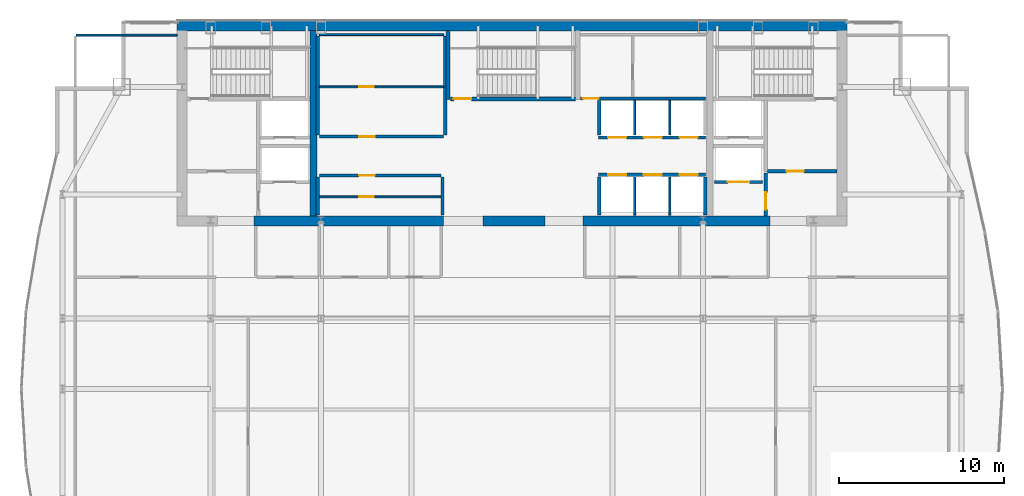
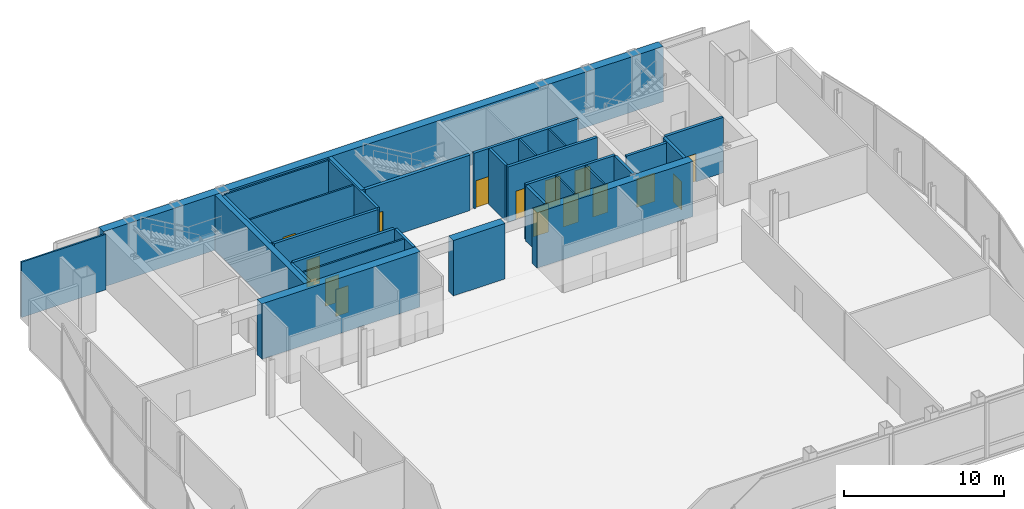
# One storey, part 25 of 28: 30 walls, 15 doors, 15 openings.
"""IFC4 building model written with IfcOpenShell, lengths in metres."""

from ifc_helpers import new_model, si_unit, direction, frame, frame_2d, origin, place, context, subcontext, project, spatial, rectangle, extrude, material, layer, layer_set, type_object, element, fill, save


model = new_model("IFC4")

# Units and contexts
model_context = context("Model", 3, precision=1e-05, world=origin(), true_north=direction((0.0, 1.0)))
body_context = subcontext(model_context, "Body", "Model", "MODEL_VIEW")
ifc_project = project(units=[si_unit("LENGTHUNIT", "METRE"), si_unit("AREAUNIT", "SQUARE_METRE"), si_unit("VOLUMEUNIT", "CUBIC_METRE"), si_unit("PLANEANGLEUNIT", "RADIAN"), si_unit("MASSUNIT", "GRAM", prefix="KILO")], contexts=[model_context])

# Site, building, storey
site_placement = place(None, origin())
site = spatial("IfcSite", under=ifc_project, at=site_placement, CompositionType="ELEMENT")
building_placement = place(site_placement, origin())
building = spatial("IfcBuilding", under=site, at=building_placement, Name="Khoronbel Lancet Exchange", CompositionType="ELEMENT")
storey_placement = place(building_placement, frame((0.0, 0.0, 265.39990234375)))
storey = spatial("IfcBuildingStorey", under=building, at=storey_placement, Name="L68", CompositionType="ELEMENT", Elevation=265.39990234375)

# Walls
ifc_material_1 = material(Name="Concrete C60/75", Category="concrete")
ifc_layer_1 = layer(ifc_material_1, 0.60009765625, Name="Concrete C60/75")
ifc_layer_set_1 = layer_set([ifc_layer_1], Name="Concrete C60/75")
wall_type_1 = type_object("IfcWallType", Name="WL-CW3", PredefinedType="SHEAR", material=ifc_layer_set_1)
wall_1_placement = place(storey_placement, frame((16.199951171875, 53.39990234375, 0.0), z_axis=(0.0, 0.0, 1.0), x_axis=(1.0, 0.0, 0.0)))
element("IfcWall", 1, at=wall_1_placement, inside=storey, type_object=wall_type_1, Name="Level L68 rear core north shear wall", PredefinedType="SHEAR", context=body_context, shape_type="SweptSolid", body=[
    extrude(rectangle(XDim=40.5, YDim=0.60009765625, at=frame_2d((20.25, 0.0))), origin(), (0.0, 0.0, 1.0), 4.239990234375),
])
wall_2_placement = place(storey_placement, frame((32.300048828125, 41.60009765625, 0.0), z_axis=(0.0, 0.0, 1.0), x_axis=(-1.0, 0.0, 0.0)))
element("IfcWall", 2, at=wall_2_placement, inside=storey, type_object=wall_type_1, Name="Level L68 rear core south shear wall pier P2", PredefinedType="SHEAR", context=body_context, shape_type="SweptSolid", body=[
    extrude(rectangle(XDim=11.449951171875, YDim=0.60009765625, at=frame_2d((5.72509765625, 0.0))), origin(), (0.0, 0.0, 1.0), 4.239990234375),
])
wall_3_placement = place(storey_placement, frame((38.449951171875, 41.60009765625, 0.0), z_axis=(0.0, 0.0, 1.0), x_axis=(-1.0, 0.0, 0.0)))
element("IfcWall", 3, at=wall_3_placement, inside=storey, type_object=wall_type_1, Name="Level L68 rear core south shear wall pier P3", PredefinedType="SHEAR", context=body_context, shape_type="SweptSolid", body=[
    extrude(rectangle(XDim=3.75, YDim=0.60009765625, at=frame_2d((1.875, 0.0))), origin(), (0.0, 0.0, 1.0), 4.239990234375),
])
wall_4_placement = place(storey_placement, frame((52.050048828125, 41.60009765625, 0.0), z_axis=(0.0, 0.0, 1.0), x_axis=(-1.0, 0.0, 0.0)))
element("IfcWall", 4, at=wall_4_placement, inside=storey, type_object=wall_type_1, Name="Level L68 rear core south shear wall pier P4", PredefinedType="SHEAR", context=body_context, shape_type="SweptSolid", body=[
    extrude(rectangle(XDim=11.300048828125, YDim=0.60009765625, at=frame_2d((5.64990234375, 0.0))), origin(), (0.0, 0.0, 1.0), 4.239990234375),
])
ifc_material_2 = material(Name="Acoustic Metal-Stud & Mineral-Wool Gypsum Partition 120 mm", Category="gypsum")
ifc_layer_2 = layer(ifc_material_2, 0.1201171875, Name="Acoustic Metal-Stud & Mineral-Wool Gypsum Partition 120 mm")
ifc_layer_set_2 = layer_set([ifc_layer_2], Name="Acoustic Metal-Stud & Mineral-Wool Gypsum Partition 120 mm")
wall_type_2 = type_object("IfcWallType", Name="WL-PRT120", PredefinedType="PARTITIONING", material=ifc_layer_set_2)
wall_5_placement = place(storey_placement, frame((10.094970703125, 52.840087890625, 0.0), z_axis=(0.0, 0.0, 1.0), x_axis=(1.0, 0.0, 0.0)))
element("IfcWall", 5, at=wall_5_placement, inside=storey, type_object=wall_type_2, Name="Level L68 interior partition PW-LIN-NW", PredefinedType="PARTITIONING", context=body_context, shape_type="SweptSolid", body=[
    extrude(rectangle(XDim=6.10498046875, YDim=0.1201171875, at=frame_2d((3.052490234375, 0.0))), origin(), (0.0, 0.0, 1.0), 4.239990234375),
])
ifc_material_3 = material(Name="Fire-Rated Metal-Stud & Mineral-Wool Gypsum Partition 120 mm", Category="gypsum")
ifc_layer_3 = layer(ifc_material_3, 0.1201171875, Name="Fire-Rated Metal-Stud & Mineral-Wool Gypsum Partition 120 mm")
ifc_layer_set_3 = layer_set([ifc_layer_3], Name="Fire-Rated Metal-Stud & Mineral-Wool Gypsum Partition 120 mm")
wall_type_3 = type_object("IfcWallType", Name="WL-PRT120F", PredefinedType="PARTITIONING", material=ifc_layer_set_3)
wall_6_placement = place(storey_placement, frame((24.804931640625, 52.860107421875, 0.0), z_axis=(0.0, 0.0, 1.0), x_axis=(1.0, 0.0, 0.0)))
element("IfcWall", 6, at=wall_6_placement, inside=storey, type_object=wall_type_3, Name="Level L68 interior partition CW-PL-RN", PredefinedType="PARTITIONING", context=body_context, shape_type="SweptSolid", body=[
    extrude(rectangle(XDim=7.510009765625, YDim=0.1201171875, at=frame_2d((3.7548828125, 0.0))), origin(), (0.0, 0.0, 1.0), 4.239990234375),
])

# Wall, opening, door
wall_7_placement = place(storey_placement, frame((24.804931640625, 49.708740234375, 0.0), z_axis=(0.0, 0.0, 1.0), x_axis=(1.0, 0.0, 0.0)))
wall_7 = element("IfcWall", 7, at=wall_7_placement, inside=storey, type_object=wall_type_3, Name="Level L68 interior partition CW-PL-RH", PredefinedType="PARTITIONING", context=body_context, shape_type="SweptSolid", body=[
    extrude(rectangle(XDim=7.510009765625, YDim=0.1201171875, at=frame_2d((3.7548828125, 0.0))), origin(), (0.0, 0.0, 1.0), 4.239990234375),
])
opening_1_placement = place(wall_7_placement, frame((2.39990234375, 0.0, 0.0)))
opening_1 = element("IfcOpeningElement", 8, at=opening_1_placement, cuts=wall_7, Name="Opening FD4", PredefinedType="OPENING", context=body_context, shape_type="SweptSolid", body=[
    extrude(rectangle(XDim=0.89990234375, YDim=2.050048828125, at=frame_2d((0.449951171875, 1.02490234375))), frame((0.0, 0.070068359375, 0.0), z_axis=(0.0, -1.0, 0.0), x_axis=(1.0, 0.0, 0.0)), (0.0, 0.0, 1.0), 0.14013671875),
])
ifc_material_4 = material(Name="Fire-Rated Steel Core Support Door Assembly", Category="steel")
door_type_1 = type_object("IfcDoorType", Name="DR-FD4", OperationType="NOTDEFINED", PredefinedType="DOOR", material=ifc_material_4)
door_1_placement = place(opening_1_placement, origin())
door_1 = element("IfcDoor", 9, at=door_1_placement, inside=storey, type_object=door_type_1, Name="Core PL inner store door L68-1", OperationType="SINGLE_SWING_RIGHT", OverallHeight=2.050048828125, OverallWidth=0.89990234375, PredefinedType="DOOR", context=body_context, shape_type="SweptSolid", body=[
    extrude(rectangle(XDim=0.89990234375, YDim=2.050048828125, at=frame_2d((0.449951171875, 1.02490234375))), frame((0.0, 0.02490234375, 0.0), z_axis=(0.0, -1.0, 0.0), x_axis=(1.0, 0.0, 0.0)), (0.0, 0.0, 1.0), 0.050048828125),
])
fill(opening_1, door_1)

wall_8_placement = place(storey_placement, frame((24.804931640625, 43.053955078125, 0.0), z_axis=(0.0, 0.0, 1.0), x_axis=(1.0, 0.0, 0.0)))
wall_8 = element("IfcWall", 10, at=wall_8_placement, inside=storey, type_object=wall_type_3, Name="Level L68 interior partition CW-PM-RH", PredefinedType="PARTITIONING", context=body_context, shape_type="SweptSolid", body=[
    extrude(rectangle(XDim=7.340087890625, YDim=0.1201171875, at=frame_2d((3.669921875, 0.0))), origin(), (0.0, 0.0, 1.0), 4.239990234375),
])
opening_2_placement = place(wall_8_placement, frame((2.39990234375, 0.0, 0.0)))
opening_2 = element("IfcOpeningElement", 11, at=opening_2_placement, cuts=wall_8, Name="Opening FD4", PredefinedType="OPENING", context=body_context, shape_type="SweptSolid", body=[
    extrude(rectangle(XDim=0.89990234375, YDim=2.050048828125, at=frame_2d((0.449951171875, 1.02490234375))), frame((0.0, 0.070068359375, 0.0), z_axis=(0.0, -1.0, 0.0), x_axis=(1.0, 0.0, 0.0)), (0.0, 0.0, 1.0), 0.14013671875),
])
door_2_placement = place(opening_2_placement, origin())
door_2 = element("IfcDoor", 12, at=door_2_placement, inside=storey, type_object=door_type_1, Name="Core PM inner store door L68-1", OperationType="SINGLE_SWING_RIGHT", OverallHeight=2.050048828125, OverallWidth=0.89990234375, PredefinedType="DOOR", context=body_context, shape_type="SweptSolid", body=[
    extrude(rectangle(XDim=0.89990234375, YDim=2.050048828125, at=frame_2d((0.449951171875, 1.02490234375))), frame((0.0, 0.02490234375, 0.0), z_axis=(0.0, -1.0, 0.0), x_axis=(1.0, 0.0, 0.0)), (0.0, 0.0, 1.0), 0.050048828125),
])
fill(opening_2, door_2)

# Walls
for number, where, z_axis, x_axis, name in (
    (13, (43.860107421875, 46.800048828125, 0.0), (0.0, 0.0, 1.0), (0.0, 1.0, 0.0), "Level L68 interior partition CW-PH-D1"),
    (14, (46.0, 46.800048828125, 0.0), (0.0, 0.0, 1.0), (0.0, 1.0, 0.0), "Level L68 interior partition CW-PH-D2"),
):
    element("IfcWall", number, at=place(storey_placement, frame(where, z_axis=z_axis, x_axis=x_axis)), inside=storey, type_object=wall_type_3, Name=name, PredefinedType="PARTITIONING", context=body_context, shape_type="SweptSolid", body=[
        extrude(rectangle(XDim=2.094970703125, YDim=0.1201171875, at=frame_2d((1.04736328125, 0.0))), origin(), (0.0, 0.0, 1.0), 4.239990234375),
    ])
for number, where, z_axis, x_axis, name in (
    (15, (43.860107421875, 41.949951171875, 0.0), (0.0, 0.0, 1.0), (0.0, 1.0, 0.0), "Level L68 interior partition CW-PX-D1"),
    (16, (46.0, 41.949951171875, 0.0), (0.0, 0.0, 1.0), (0.0, 1.0, 0.0), "Level L68 interior partition CW-PX-D2"),
):
    element("IfcWall", number, at=place(storey_placement, frame(where, z_axis=z_axis, x_axis=x_axis)), inside=storey, type_object=wall_type_3, Name=name, PredefinedType="PARTITIONING", context=body_context, shape_type="SweptSolid", body=[
        extrude(rectangle(XDim=2.300048828125, YDim=0.1201171875, at=frame_2d((1.14990234375, 0.0))), origin(), (0.0, 0.0, 1.0), 4.239990234375),
    ])

# Wall, openings, doors
ifc_material_5 = material(Name="Autoclaved Aerated Concrete Blockwork 200 mm", Category="masonry")
ifc_layer_4 = layer(ifc_material_5, 0.199951171875, Name="Autoclaved Aerated Concrete Blockwork 200 mm")
ifc_layer_set_4 = layer_set([ifc_layer_4], Name="Autoclaved Aerated Concrete Blockwork 200 mm")
wall_type_4 = type_object("IfcWallType", Name="WL-PRT200", PredefinedType="PARTITIONING", material=ifc_layer_set_4)
wall_9_placement = place(storey_placement, frame((41.679931640625, 44.39990234375, 0.0), z_axis=(0.0, 0.0, 1.0), x_axis=(1.0, 0.0, 0.0)))
wall_9 = element("IfcWall", 17, at=wall_9_placement, inside=storey, type_object=wall_type_4, Name="Level L68 elevator hoistway landing front wall PXE", PredefinedType="PARTITIONING", context=body_context, shape_type="SweptSolid", body=[
    extrude(rectangle(XDim=6.47998046875, YDim=0.199951171875, at=frame_2d((3.239990234375, 0.0))), origin(), (0.0, 0.0, 1.0), 4.239990234375),
])
opening_3_placement = place(wall_9_placement, frame((0.580078125, 0.0, 0.0)))
opening_3 = element("IfcOpeningElement", 18, at=opening_3_placement, cuts=wall_9, Name="Opening LD-PX1", PredefinedType="OPENING", context=body_context, shape_type="SweptSolid", body=[
    extrude(rectangle(XDim=1.10009765625, YDim=2.179931640625, at=frame_2d((0.550048828125, 1.08984375))), frame((0.0, 0.10986328125, 0.0), z_axis=(0.0, -1.0, 0.0), x_axis=(1.0, 0.0, 0.0)), (0.0, 0.0, 1.0), 0.219970703125),
])
opening_4_placement = place(wall_9_placement, frame((2.739990234375, 0.0, 0.0)))
opening_4 = element("IfcOpeningElement", 19, at=opening_4_placement, cuts=wall_9, Name="Opening LD-PX2", PredefinedType="OPENING", context=body_context, shape_type="SweptSolid", body=[
    extrude(rectangle(XDim=1.10009765625, YDim=2.179931640625, at=frame_2d((0.550048828125, 1.08984375))), frame((0.0, 0.10986328125, 0.0), z_axis=(0.0, -1.0, 0.0), x_axis=(1.0, 0.0, 0.0)), (0.0, 0.0, 1.0), 0.219970703125),
])
opening_5_placement = place(wall_9_placement, frame((4.89990234375, 0.0, 0.0)))
opening_5 = element("IfcOpeningElement", 20, at=opening_5_placement, cuts=wall_9, Name="Opening LD-PX3", PredefinedType="OPENING", context=body_context, shape_type="SweptSolid", body=[
    extrude(rectangle(XDim=1.10009765625, YDim=2.179931640625, at=frame_2d((0.550048828125, 1.08984375))), frame((0.0, 0.10986328125, 0.0), z_axis=(0.0, -1.0, 0.0), x_axis=(1.0, 0.0, 0.0)), (0.0, 0.0, 1.0), 0.219970703125),
])
ifc_material_6 = material(Name="Brushed Bronze Bi-Parting Elevator Landing Door", Category="steel")
door_type_2 = type_object("IfcDoorType", Name="DR-LD-PAX", OperationType="NOTDEFINED", PredefinedType="DOOR", material=ifc_material_6)
door_3_placement = place(opening_3_placement, origin())
door_3 = element("IfcDoor", 21, at=door_3_placement, inside=storey, type_object=door_type_2, Name="Elevator landing sliding door LD-PX1 L68", OperationType="SLIDING_TO_LEFT", OverallHeight=2.179931640625, OverallWidth=1.10009765625, PredefinedType="DOOR", context=body_context, shape_type="SweptSolid", body=[
    extrude(rectangle(XDim=1.10009765625, YDim=2.179931640625, at=frame_2d((0.550048828125, 1.08984375))), frame((0.0, 0.02490234375, 0.0), z_axis=(0.0, -1.0, 0.0), x_axis=(1.0, 0.0, 0.0)), (0.0, 0.0, 1.0), 0.050048828125),
])
fill(opening_3, door_3)
door_4_placement = place(opening_4_placement, origin())
door_4 = element("IfcDoor", 22, at=door_4_placement, inside=storey, type_object=door_type_2, Name="Elevator landing sliding door LD-PX2 L68", OperationType="SLIDING_TO_LEFT", OverallHeight=2.179931640625, OverallWidth=1.10009765625, PredefinedType="DOOR", context=body_context, shape_type="SweptSolid", body=[
    extrude(rectangle(XDim=1.10009765625, YDim=2.179931640625, at=frame_2d((0.550048828125, 1.08984375))), frame((0.0, 0.02490234375, 0.0), z_axis=(0.0, -1.0, 0.0), x_axis=(1.0, 0.0, 0.0)), (0.0, 0.0, 1.0), 0.050048828125),
])
fill(opening_4, door_4)
door_5_placement = place(opening_5_placement, origin())
door_5 = element("IfcDoor", 23, at=door_5_placement, inside=storey, type_object=door_type_2, Name="Elevator landing sliding door LD-PX3 L68", OperationType="SLIDING_TO_LEFT", OverallHeight=2.179931640625, OverallWidth=1.10009765625, PredefinedType="DOOR", context=body_context, shape_type="SweptSolid", body=[
    extrude(rectangle(XDim=1.10009765625, YDim=2.179931640625, at=frame_2d((0.550048828125, 1.08984375))), frame((0.0, 0.02490234375, 0.0), z_axis=(0.0, -1.0, 0.0), x_axis=(1.0, 0.0, 0.0)), (0.0, 0.0, 1.0), 0.050048828125),
])
fill(opening_5, door_5)

# Wall, opening, door
wall_10_placement = place(storey_placement, frame((51.610107421875, 43.949951171875, 0.0), z_axis=(0.0, 0.0, 1.0), x_axis=(-1.0, 0.0, 0.0)))
wall_10 = element("IfcWall", 24, at=wall_10_placement, inside=storey, type_object=wall_type_4, Name="Level L68 elevator hoistway landing front wall SVLE", PredefinedType="PARTITIONING", context=body_context, shape_type="SweptSolid", body=[
    extrude(rectangle(XDim=2.920166015625, YDim=0.199951171875, at=frame_2d((1.4599609375, 0.0))), origin(), (0.0, 0.0, 1.0), 4.239990234375),
])
opening_6_placement = place(wall_10_placement, frame((0.81005859375, 0.0, 0.0)))
opening_6 = element("IfcOpeningElement", 25, at=opening_6_placement, cuts=wall_10, Name="Opening LD-SVL2", PredefinedType="OPENING", context=body_context, shape_type="SweptSolid", body=[
    extrude(rectangle(XDim=1.300048828125, YDim=2.179931640625, at=frame_2d((0.64990234375, 1.08984375))), frame((0.0, 0.10986328125, 0.0), z_axis=(0.0, -1.0, 0.0), x_axis=(1.0, 0.0, 0.0)), (0.0, 0.0, 1.0), 0.219970703125),
])
ifc_material_7 = material(Name="Heavy-Duty Bi-Parting Goods Lift Landing Door", Category="steel")
door_type_3 = type_object("IfcDoorType", Name="DR-LD-SVL", OperationType="NOTDEFINED", PredefinedType="DOOR", material=ifc_material_7)
door_6_placement = place(opening_6_placement, origin())
door_6 = element("IfcDoor", 26, at=door_6_placement, inside=storey, type_object=door_type_3, Name="Elevator landing sliding door LD-SVL2 L68", OperationType="SLIDING_TO_LEFT", OverallHeight=2.179931640625, OverallWidth=1.300048828125, PredefinedType="DOOR", context=body_context, shape_type="SweptSolid", body=[
    extrude(rectangle(XDim=1.300048828125, YDim=2.179931640625, at=frame_2d((0.64990234375, 1.08984375))), frame((0.0, 0.02490234375, 0.0), z_axis=(0.0, -1.0, 0.0), x_axis=(1.0, 0.0, 0.0)), (0.0, 0.0, 1.0), 0.050048828125),
])
fill(opening_6, door_6)

# Wall, openings, doors
wall_11_placement = place(storey_placement, frame((48.159912109375, 46.64990234375, 0.0), z_axis=(0.0, 0.0, 1.0), x_axis=(-1.0, 0.0, 0.0)))
wall_11 = element("IfcWall", 27, at=wall_11_placement, inside=storey, type_object=wall_type_4, Name="Level L68 elevator hoistway landing front wall PHE", PredefinedType="PARTITIONING", context=body_context, shape_type="SweptSolid", body=[
    extrude(rectangle(XDim=6.47998046875, YDim=0.199951171875, at=frame_2d((3.239990234375, 0.0))), origin(), (0.0, 0.0, 1.0), 4.239990234375),
])
opening_7_placement = place(wall_11_placement, frame((4.800048828125, 0.0, 0.0)))
opening_7 = element("IfcOpeningElement", 28, at=opening_7_placement, cuts=wall_11, Name="Opening LD-PH1", PredefinedType="OPENING", context=body_context, shape_type="SweptSolid", body=[
    extrude(rectangle(XDim=1.10009765625, YDim=2.179931640625, at=frame_2d((0.550048828125, 1.08984375))), frame((0.0, 0.10986328125, 0.0), z_axis=(0.0, -1.0, 0.0), x_axis=(1.0, 0.0, 0.0)), (0.0, 0.0, 1.0), 0.219970703125),
])
opening_8_placement = place(wall_11_placement, frame((2.639892578125, 0.0, 0.0)))
opening_8 = element("IfcOpeningElement", 29, at=opening_8_placement, cuts=wall_11, Name="Opening LD-PH2", PredefinedType="OPENING", context=body_context, shape_type="SweptSolid", body=[
    extrude(rectangle(XDim=1.10009765625, YDim=2.179931640625, at=frame_2d((0.550048828125, 1.08984375))), frame((0.0, 0.10986328125, 0.0), z_axis=(0.0, -1.0, 0.0), x_axis=(1.0, 0.0, 0.0)), (0.0, 0.0, 1.0), 0.219970703125),
])
opening_9_placement = place(wall_11_placement, frame((0.47998046875, 0.0, 0.0)))
opening_9 = element("IfcOpeningElement", 30, at=opening_9_placement, cuts=wall_11, Name="Opening LD-PH3", PredefinedType="OPENING", context=body_context, shape_type="SweptSolid", body=[
    extrude(rectangle(XDim=1.10009765625, YDim=2.179931640625, at=frame_2d((0.550048828125, 1.08984375))), frame((0.0, 0.10986328125, 0.0), z_axis=(0.0, -1.0, 0.0), x_axis=(1.0, 0.0, 0.0)), (0.0, 0.0, 1.0), 0.219970703125),
])
door_7_placement = place(opening_7_placement, origin())
door_7 = element("IfcDoor", 31, at=door_7_placement, inside=storey, type_object=door_type_2, Name="Elevator landing sliding door LD-PH1 L68", OperationType="SLIDING_TO_LEFT", OverallHeight=2.179931640625, OverallWidth=1.10009765625, PredefinedType="DOOR", context=body_context, shape_type="SweptSolid", body=[
    extrude(rectangle(XDim=1.10009765625, YDim=2.179931640625, at=frame_2d((0.550048828125, 1.08984375))), frame((0.0, 0.02490234375, 0.0), z_axis=(0.0, -1.0, 0.0), x_axis=(1.0, 0.0, 0.0)), (0.0, 0.0, 1.0), 0.050048828125),
])
fill(opening_7, door_7)
door_8_placement = place(opening_8_placement, origin())
door_8 = element("IfcDoor", 32, at=door_8_placement, inside=storey, type_object=door_type_2, Name="Elevator landing sliding door LD-PH2 L68", OperationType="SLIDING_TO_LEFT", OverallHeight=2.179931640625, OverallWidth=1.10009765625, PredefinedType="DOOR", context=body_context, shape_type="SweptSolid", body=[
    extrude(rectangle(XDim=1.10009765625, YDim=2.179931640625, at=frame_2d((0.550048828125, 1.08984375))), frame((0.0, 0.02490234375, 0.0), z_axis=(0.0, -1.0, 0.0), x_axis=(1.0, 0.0, 0.0)), (0.0, 0.0, 1.0), 0.050048828125),
])
fill(opening_8, door_8)
door_9_placement = place(opening_9_placement, origin())
door_9 = element("IfcDoor", 33, at=door_9_placement, inside=storey, type_object=door_type_2, Name="Elevator landing sliding door LD-PH3 L68", OperationType="SLIDING_TO_LEFT", OverallHeight=2.179931640625, OverallWidth=1.10009765625, PredefinedType="DOOR", context=body_context, shape_type="SweptSolid", body=[
    extrude(rectangle(XDim=1.10009765625, YDim=2.179931640625, at=frame_2d((0.550048828125, 1.08984375))), frame((0.0, 0.02490234375, 0.0), z_axis=(0.0, -1.0, 0.0), x_axis=(1.0, 0.0, 0.0)), (0.0, 0.0, 1.0), 0.050048828125),
])
fill(opening_9, door_9)

# Wall, opening, door
wall_12_placement = place(storey_placement, frame((51.89990234375, 44.60009765625, 0.0), z_axis=(0.0, 0.0, 1.0), x_axis=(1.0, 0.0, 0.0)))
wall_12 = element("IfcWall", 34, at=wall_12_placement, inside=storey, type_object=wall_type_4, Name="Level L68 interior partition CW-FFLE-S", PredefinedType="PARTITIONING", context=body_context, shape_type="SweptSolid", body=[
    extrude(rectangle(XDim=4.2001953125, YDim=0.199951171875, at=frame_2d((2.10009765625, 0.0))), origin(), (0.0, 0.0, 1.0), 4.239990234375),
])
opening_10_placement = place(wall_12_placement, frame((1.14990234375, 0.0, 0.0)))
opening_10 = element("IfcOpeningElement", 35, at=opening_10_placement, cuts=wall_12, Name="Opening FD1", PredefinedType="OPENING", context=body_context, shape_type="SweptSolid", body=[
    extrude(rectangle(XDim=1.050048828125, YDim=2.14990234375, at=frame_2d((0.52490234375, 1.074951171875))), frame((0.0, 0.10986328125, 0.0), z_axis=(0.0, -1.0, 0.0), x_axis=(1.0, 0.0, 0.0)), (0.0, 0.0, 1.0), 0.219970703125),
])
ifc_material_8 = material(Name="Fire-Rated Painted Steel Door Assembly", Category="steel")
door_type_4 = type_object("IfcDoorType", Name="DR-FD1", OperationType="NOTDEFINED", PredefinedType="DOOR", material=ifc_material_8)
door_10_placement = place(opening_10_placement, origin())
door_10 = element("IfcDoor", 36, at=door_10_placement, inside=storey, type_object=door_type_4, Name="East firefighting lobby FD90S door L68-1", OperationType="SINGLE_SWING_RIGHT", OverallHeight=2.14990234375, OverallWidth=1.050048828125, PredefinedType="DOOR", context=body_context, shape_type="SweptSolid", body=[
    extrude(rectangle(XDim=1.050048828125, YDim=2.14990234375, at=frame_2d((0.52490234375, 1.074951171875))), frame((0.0, 0.02490234375, 0.0), z_axis=(0.0, -1.0, 0.0), x_axis=(1.0, 0.0, 0.0)), (0.0, 0.0, 1.0), 0.050048828125),
])
fill(opening_10, door_10)

wall_13_placement = place(storey_placement, frame((51.800048828125, 41.89990234375, 0.0), z_axis=(0.0, 0.0, 1.0), x_axis=(0.0, 1.0, 0.0)))
wall_13 = element("IfcWall", 37, at=wall_13_placement, inside=storey, type_object=wall_type_4, Name="Level L68 interior partition CW-SVLE-E", PredefinedType="PARTITIONING", context=body_context, shape_type="SweptSolid", body=[
    extrude(rectangle(XDim=2.59521484375, YDim=0.199951171875, at=frame_2d((1.297607421875, 0.0))), origin(), (0.0, 0.0, 1.0), 4.239990234375),
])
opening_11_placement = place(wall_13_placement, frame((0.3798828125, 0.0, 0.0)))
opening_11 = element("IfcOpeningElement", 38, at=opening_11_placement, cuts=wall_13, Name="Opening FD1", PredefinedType="OPENING", context=body_context, shape_type="SweptSolid", body=[
    extrude(rectangle(XDim=1.050048828125, YDim=2.14990234375, at=frame_2d((0.52490234375, 1.074951171875))), frame((0.0, 0.10986328125, 0.0), z_axis=(0.0, -1.0, 0.0), x_axis=(1.0, 0.0, 0.0)), (0.0, 0.0, 1.0), 0.219970703125),
])
door_11_placement = place(opening_11_placement, origin())
door_11 = element("IfcDoor", 39, at=door_11_placement, inside=storey, type_object=door_type_4, Name="East service lift lobby door L68-1", OperationType="SINGLE_SWING_LEFT", OverallHeight=2.14990234375, OverallWidth=1.050048828125, PredefinedType="DOOR", context=body_context, shape_type="SweptSolid", body=[
    extrude(rectangle(XDim=1.050048828125, YDim=2.14990234375, at=frame_2d((0.52490234375, 1.074951171875))), frame((0.0, 0.02490234375, 0.0), z_axis=(0.0, -1.0, 0.0), x_axis=(1.0, 0.0, 0.0)), (0.0, 0.0, 1.0), 0.050048828125),
])
fill(opening_11, door_11)

# Walls
for number, where, z_axis, x_axis, name in (
    (40, (24.699951171875, 46.804931640625, 0.0), (0.0, 0.0, 1.0), (0.0, 1.0, 0.0), "Level L68 interior partition CW-PL-RW"),
    (41, (32.419921875, 46.804931640625, 0.0), (0.0, 0.0, 1.0), (0.0, 1.0, 0.0), "Level L68 interior partition CW-PL-RE"),
):
    element("IfcWall", number, at=place(storey_placement, frame(where, z_axis=z_axis, x_axis=x_axis)), inside=storey, type_object=wall_type_4, Name=name, PredefinedType="PARTITIONING", context=body_context, shape_type="SweptSolid", body=[
        extrude(rectangle(XDim=5.989990234375, YDim=0.199951171875, at=frame_2d((2.9951171875, 0.0))), origin(), (0.0, 0.0, 1.0), 4.239990234375),
    ])

# Wall, opening, door
wall_14_placement = place(storey_placement, frame((24.804931640625, 46.699951171875, 0.0), z_axis=(0.0, 0.0, 1.0), x_axis=(1.0, 0.0, 0.0)))
wall_14 = element("IfcWall", 42, at=wall_14_placement, inside=storey, type_object=wall_type_4, Name="Level L68 interior partition CW-PL-RF", PredefinedType="PARTITIONING", context=body_context, shape_type="SweptSolid", body=[
    extrude(rectangle(XDim=7.510009765625, YDim=0.199951171875, at=frame_2d((3.7548828125, 0.0))), origin(), (0.0, 0.0, 1.0), 4.239990234375),
])
opening_12_placement = place(wall_14_placement, frame((2.39990234375, 0.0, 0.0)))
opening_12 = element("IfcOpeningElement", 43, at=opening_12_placement, cuts=wall_14, Name="Opening FD3", PredefinedType="OPENING", context=body_context, shape_type="SweptSolid", body=[
    extrude(rectangle(XDim=0.949951171875, YDim=2.10009765625, at=frame_2d((0.47509765625, 1.050048828125))), frame((0.0, 0.10986328125, 0.0), z_axis=(0.0, -1.0, 0.0), x_axis=(1.0, 0.0, 0.0)), (0.0, 0.0, 1.0), 0.219970703125),
])
ifc_material_9 = material(Name="Fire-Rated Steel Plant & Riser Door Assembly", Category="steel")
door_type_5 = type_object("IfcDoorType", Name="DR-FD3", OperationType="NOTDEFINED", PredefinedType="DOOR", material=ifc_material_9)
door_12_placement = place(opening_12_placement, origin())
door_12 = element("IfcDoor", 44, at=door_12_placement, inside=storey, type_object=door_type_5, Name="Core PL merged gallery room door L68-1", OperationType="SINGLE_SWING_LEFT", OverallHeight=2.10009765625, OverallWidth=0.949951171875, PredefinedType="DOOR", context=body_context, shape_type="SweptSolid", body=[
    extrude(rectangle(XDim=0.949951171875, YDim=2.10009765625, at=frame_2d((0.47509765625, 1.050048828125))), frame((0.0, 0.02490234375, 0.0), z_axis=(0.0, -1.0, 0.0), x_axis=(1.0, 0.0, 0.0)), (0.0, 0.0, 1.0), 0.050048828125),
])
fill(opening_12, door_12)

# Walls
for number, where, z_axis, x_axis, name in (
    (45, (24.699951171875, 41.949951171875, 0.0), (0.0, 0.0, 1.0), (0.0, 1.0, 0.0), "Level L68 interior partition CW-PM-RW"),
    (46, (32.25, 41.949951171875, 0.0), (0.0, 0.0, 1.0), (0.0, 1.0, 0.0), "Level L68 interior partition CW-PM-RE"),
):
    element("IfcWall", number, at=place(storey_placement, frame(where, z_axis=z_axis, x_axis=x_axis)), inside=storey, type_object=wall_type_4, Name=name, PredefinedType="PARTITIONING", context=body_context, shape_type="SweptSolid", body=[
        extrude(rectangle(XDim=2.295166015625, YDim=0.199951171875, at=frame_2d((1.1474609375, 0.0))), origin(), (0.0, 0.0, 1.0), 4.239990234375),
    ])

# Wall, opening, door
wall_15_placement = place(storey_placement, frame((24.804931640625, 44.35009765625, 0.0), z_axis=(0.0, 0.0, 1.0), x_axis=(1.0, 0.0, 0.0)))
wall_15 = element("IfcWall", 47, at=wall_15_placement, inside=storey, type_object=wall_type_4, Name="Level L68 interior partition CW-PM-RF", PredefinedType="PARTITIONING", context=body_context, shape_type="SweptSolid", body=[
    extrude(rectangle(XDim=7.340087890625, YDim=0.199951171875, at=frame_2d((3.669921875, 0.0))), origin(), (0.0, 0.0, 1.0), 4.239990234375),
])
opening_13_placement = place(wall_15_placement, frame((2.39990234375, 0.0, 0.0)))
opening_13 = element("IfcOpeningElement", 48, at=opening_13_placement, cuts=wall_15, Name="Opening FD3", PredefinedType="OPENING", context=body_context, shape_type="SweptSolid", body=[
    extrude(rectangle(XDim=0.949951171875, YDim=2.10009765625, at=frame_2d((0.47509765625, 1.050048828125))), frame((0.0, 0.10986328125, 0.0), z_axis=(0.0, -1.0, 0.0), x_axis=(1.0, 0.0, 0.0)), (0.0, 0.0, 1.0), 0.219970703125),
])
door_13_placement = place(opening_13_placement, origin())
door_13 = element("IfcDoor", 49, at=door_13_placement, inside=storey, type_object=door_type_5, Name="Core PM merged gallery room door L68-1", OperationType="SINGLE_SWING_LEFT", OverallHeight=2.10009765625, OverallWidth=0.949951171875, PredefinedType="DOOR", context=body_context, shape_type="SweptSolid", body=[
    extrude(rectangle(XDim=0.949951171875, YDim=2.10009765625, at=frame_2d((0.47509765625, 1.050048828125))), frame((0.0, 0.02490234375, 0.0), z_axis=(0.0, -1.0, 0.0), x_axis=(1.0, 0.0, 0.0)), (0.0, 0.0, 1.0), 0.050048828125),
])
fill(opening_13, door_13)

# Walls
wall_16_placement = place(storey_placement, frame((41.719970703125, 46.800048828125, 0.0), z_axis=(0.0, 0.0, 1.0), x_axis=(0.0, 1.0, 0.0)))
element("IfcWall", 50, at=wall_16_placement, inside=storey, type_object=wall_type_4, Name="Level L68 interior partition CW-PH-W", PredefinedType="PARTITIONING", context=body_context, shape_type="SweptSolid", body=[
    extrude(rectangle(XDim=2.094970703125, YDim=0.199951171875, at=frame_2d((1.04736328125, 0.0))), origin(), (0.0, 0.0, 1.0), 4.239990234375),
])
for number, where, z_axis, x_axis, name in (
    (51, (41.719970703125, 41.949951171875, 0.0), (0.0, 0.0, 1.0), (0.0, 1.0, 0.0), "Level L68 interior partition CW-PX-W"),
    (52, (48.139892578125, 41.949951171875, 0.0), (0.0, 0.0, 1.0), (0.0, 1.0, 0.0), "Level L68 interior partition CW-PX-E"),
):
    element("IfcWall", number, at=place(storey_placement, frame(where, z_axis=z_axis, x_axis=x_axis)), inside=storey, type_object=wall_type_4, Name=name, PredefinedType="PARTITIONING", context=body_context, shape_type="SweptSolid", body=[
        extrude(rectangle(XDim=2.300048828125, YDim=0.199951171875, at=frame_2d((1.14990234375, 0.0))), origin(), (0.0, 0.0, 1.0), 4.239990234375),
    ])

# Wall, opening, door
wall_17_placement = place(storey_placement, frame((40.580078125, 49.0, 0.0), z_axis=(0.0, 0.0, 1.0), x_axis=(1.0, 0.0, 0.0)))
wall_17 = element("IfcWall", 53, at=wall_17_placement, inside=storey, type_object=wall_type_4, Name="Level L68 interior partition CW-SUP-NE-S", PredefinedType="PARTITIONING", context=body_context, shape_type="SweptSolid", body=[
    extrude(rectangle(XDim=7.559814453125, YDim=0.199951171875, at=frame_2d((3.77978515625, 0.0))), origin(), (0.0, 0.0, 1.0), 4.239990234375),
])
opening_14_placement = place(wall_17_placement, frame((0.159912109375, 0.0, 0.0)))
opening_14 = element("IfcOpeningElement", 54, at=opening_14_placement, cuts=wall_17, Name="Opening FD3", PredefinedType="OPENING", context=body_context, shape_type="SweptSolid", body=[
    extrude(rectangle(XDim=0.949951171875, YDim=2.10009765625, at=frame_2d((0.47509765625, 1.050048828125))), frame((0.0, 0.10986328125, 0.0), z_axis=(0.0, -1.0, 0.0), x_axis=(1.0, 0.0, 0.0)), (0.0, 0.0, 1.0), 0.219970703125),
])
door_14_placement = place(opening_14_placement, origin())
door_14 = element("IfcDoor", 55, at=door_14_placement, inside=storey, type_object=door_type_5, Name="Core NE support room door L68-1", OperationType="SINGLE_SWING_RIGHT", OverallHeight=2.10009765625, OverallWidth=0.949951171875, PredefinedType="DOOR", context=body_context, shape_type="SweptSolid", body=[
    extrude(rectangle(XDim=0.949951171875, YDim=2.10009765625, at=frame_2d((0.47509765625, 1.050048828125))), frame((0.0, 0.02490234375, 0.0), z_axis=(0.0, -1.0, 0.0), x_axis=(1.0, 0.0, 0.0)), (0.0, 0.0, 1.0), 0.050048828125),
])
fill(opening_14, door_14)

# Walls
ifc_layer_5 = layer(ifc_material_1, 0.39990234375, Name="Concrete C60/75")
ifc_layer_set_5 = layer_set([ifc_layer_5], Name="Concrete C60/75")
wall_type_5 = type_object("IfcWallType", Name="WL-SW2", PredefinedType="SHEAR", material=ifc_layer_set_5)
wall_18_placement = place(storey_placement, frame((24.449951171875, 41.89990234375, 0.0), z_axis=(0.0, 0.0, 1.0), x_axis=(0.0, 1.0, 0.0)))
element("IfcWall", 56, at=wall_18_placement, inside=storey, type_object=wall_type_5, Name="Level L68 rear core internal spine shear wall IW", PredefinedType="SHEAR", context=body_context, shape_type="SweptSolid", body=[
    extrude(rectangle(XDim=11.2001953125, YDim=0.39990234375, at=frame_2d((5.60009765625, 0.0))), origin(), (0.0, 0.0, 1.0), 4.239990234375),
])
ifc_layer_6 = layer(ifc_material_1, 0.260009765625, Name="Concrete C60/75")
ifc_layer_set_6 = layer_set([ifc_layer_6], Name="Concrete C60/75")
wall_type_6 = type_object("IfcWallType", Name="WL-SW3", PredefinedType="SHEAR", material=ifc_layer_set_6)
wall_19_placement = place(storey_placement, frame((32.580078125, 48.949951171875, 0.0), z_axis=(0.0, 0.0, 1.0), x_axis=(0.0, 1.0, 0.0)))
element("IfcWall", 57, at=wall_19_placement, inside=storey, type_object=wall_type_6, Name="Level L68 central stairwell structural shear wall ST3W", PredefinedType="SHEAR", context=body_context, shape_type="SweptSolid", body=[
    extrude(rectangle(XDim=4.150146484375, YDim=0.260009765625, at=frame_2d((2.0751953125, 0.0))), origin(), (0.0, 0.0, 1.0), 4.239990234375),
])

# Wall, opening, door
wall_20_placement = place(storey_placement, frame((32.719970703125, 48.97998046875, 0.0), z_axis=(0.0, 0.0, 1.0), x_axis=(1.0, 0.0, 0.0)))
wall_20 = element("IfcWall", 58, at=wall_20_placement, inside=storey, type_object=wall_type_6, Name="Level L68 central stairwell structural south wall", PredefinedType="SHEAR", context=body_context, shape_type="SweptSolid", body=[
    extrude(rectangle(XDim=7.56005859375, YDim=0.239990234375, at=frame_2d((3.780029296875, 0.0))), origin(), (0.0, 0.0, 1.0), 4.239990234375),
])
opening_15_placement = place(wall_20_placement, frame((0.219970703125, 0.0, 0.0)))
opening_15 = element("IfcOpeningElement", 59, at=opening_15_placement, cuts=wall_20, Name="Opening SD1", PredefinedType="OPENING", context=body_context, shape_type="SweptSolid", body=[
    extrude(rectangle(XDim=1.050048828125, YDim=2.14990234375, at=frame_2d((0.52490234375, 1.074951171875))), frame((0.0, 0.1298828125, 0.0), z_axis=(0.0, -1.0, 0.0), x_axis=(1.0, 0.0, 0.0)), (0.0, 0.0, 1.0), 0.260009765625),
])
ifc_material_10 = material(Name="Fire-Rated Steel Stairwell Door Assembly", Category="steel")
door_type_6 = type_object("IfcDoorType", Name="DR-SD1", OperationType="NOTDEFINED", PredefinedType="DOOR", material=ifc_material_10)
door_15_placement = place(opening_15_placement, origin())
door_15 = element("IfcDoor", 60, at=door_15_placement, inside=storey, type_object=door_type_6, Name="Protected exit stair ST3 door L68", OperationType="SINGLE_SWING_LEFT", OverallHeight=2.14990234375, OverallWidth=1.050048828125, PredefinedType="DOOR", context=body_context, shape_type="SweptSolid", body=[
    extrude(rectangle(XDim=1.050048828125, YDim=2.14990234375, at=frame_2d((0.52490234375, 1.074951171875))), frame((0.0, 0.02490234375, 0.0), z_axis=(0.0, -1.0, 0.0), x_axis=(1.0, 0.0, 0.0)), (0.0, 0.0, 1.0), 0.050048828125),
])
fill(opening_15, door_15)

save(model, "model.ifc")
